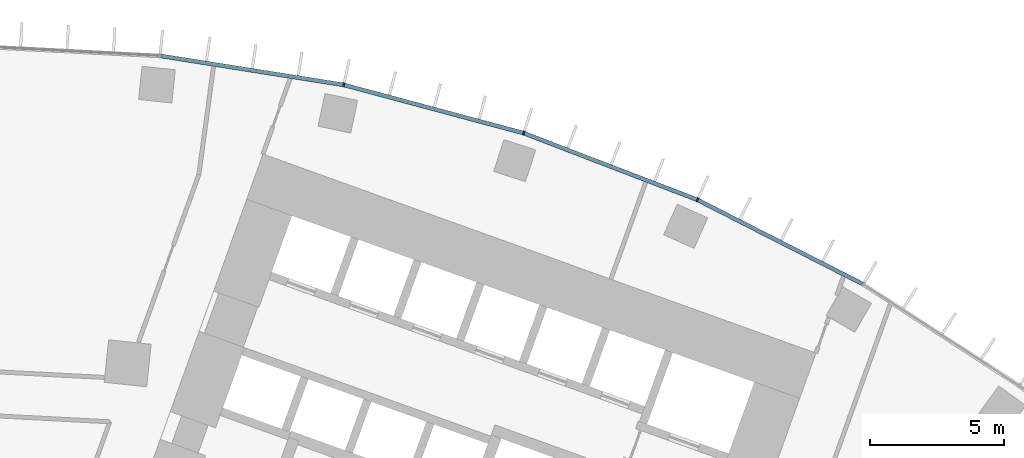
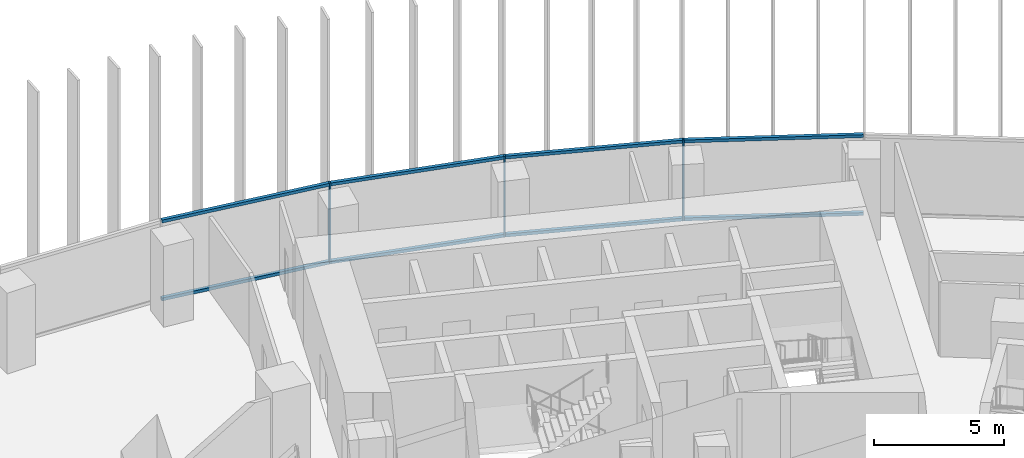
# One storey, part 12 of 24: 11 members, 1 element without a shape of its own.
"""IFC4 building model written with IfcOpenShell, lengths in metres."""

import ifcopenshell
import ifcopenshell.guid

model = None  # the IFC model being written
_history = None  # IfcOwnerHistory: only IFC2X3 demands one
_inside = {}  # id of a spatial element -> (the spatial element, [elements in it])
_under = {}  # id of a project, library or spatial element -> (it, [spatial elements below it])
_declared = {}  # id of a project -> (the project, [libraries it declares])
_typed = {}  # id of a type object -> (the type object, [elements of that type])
_made_of = {}  # id of a material, layer set ... -> (it, [elements and type objects made of it])


def new_model(schema):
    """Start an empty IFC model of exactly this schema.

    Asked for "IFC4X3", IfcOpenShell would pick the latest addendum, in which some entities
    have other attributes; the version numbers below select the first issue.
    IFC2X3 requires an IfcOwnerHistory on every rooted entity: one is made here for all.
    """
    global model, _history
    if schema == "IFC4X3":
        model = ifcopenshell.file(schema_version=(4, 3, 0, 0))
    else:
        model = ifcopenshell.file(schema=schema)
    _inside.clear()
    _under.clear()
    _declared.clear()
    _typed.clear()
    _made_of.clear()
    _history = None
    if model.schema == "IFC2X3":
        org = make("IfcOrganization", Name="unknown")
        user = make(
            "IfcPersonAndOrganization",
            ThePerson=make("IfcPerson", FamilyName="unknown"),
            TheOrganization=org,
        )
        app = make(
            "IfcApplication",
            ApplicationDeveloper=org,
            Version="unknown",
            ApplicationFullName="unknown",
            ApplicationIdentifier="unknown",
        )
        _history = make(
            "IfcOwnerHistory",
            OwningUser=user,
            OwningApplication=app,
            ChangeAction="ADDED",
            CreationDate=0,
        )
    return model


def make(cls, **values):
    """One entity of the class cls with the attributes given. An attribute that is None is left unset."""
    return model.create_entity(
        cls, **{name: value for name, value in values.items() if value is not None}
    )


def rooted(cls, **values):
    """An entity with a GlobalId (a new one), such as an element, a storey or a relation."""
    return make(cls, GlobalId=ifcopenshell.guid.new(), OwnerHistory=_history, **values)


def si_unit(unit_type, name, prefix=None):
    """IfcSIUnit, for example si_unit("LENGTHUNIT", "METRE", prefix="MILLI")."""
    return make("IfcSIUnit", UnitType=unit_type, Prefix=prefix, Name=name)


def assignment(units):
    """IfcUnitAssignment: the units of a project."""
    return None if units is None else make("IfcUnitAssignment", Units=units)


def point(xyz):
    """IfcCartesianPoint."""
    return None if xyz is None else make("IfcCartesianPoint", Coordinates=xyz)


def direction(xyz):
    """IfcDirection."""
    return None if xyz is None else make("IfcDirection", DirectionRatios=xyz)


def frame(location, z_axis=None, x_axis=None):
    """IfcAxis2Placement3D, a coordinate frame: its origin and axes. An axis left out is left unset."""
    return make(
        "IfcAxis2Placement3D",
        Location=point(location),
        Axis=direction(z_axis),
        RefDirection=direction(x_axis),
    )


def frame_2d(location, x_axis=None):
    """IfcAxis2Placement2D, a coordinate frame in the plane: its origin and x axis."""
    return make(
        "IfcAxis2Placement2D", Location=point(location), RefDirection=direction(x_axis)
    )


def origin():
    """The frame at (0, 0, 0) with its axes left unset."""
    return frame((0.0, 0.0, 0.0))


def origin_2d():
    """The frame at (0, 0) in the plane with its x axis left unset."""
    return frame_2d((0.0, 0.0))


def place(relative_to, where):
    """IfcLocalPlacement: puts the frame where relative to a parent placement (None: the world)."""
    return make(
        "IfcLocalPlacement", PlacementRelTo=relative_to, RelativePlacement=where
    )


def context(
    kind, dimensions, precision=None, world=None, true_north=None, identifier=None
):
    """IfcGeometricRepresentationContext, for example the 3D "Model" context."""
    return make(
        "IfcGeometricRepresentationContext",
        ContextIdentifier=identifier,
        ContextType=kind,
        CoordinateSpaceDimension=dimensions,
        Precision=precision,
        WorldCoordinateSystem=world,
        TrueNorth=true_north,
    )


def subcontext(parent, identifier, kind, view, scale=None):
    """IfcGeometricRepresentationSubContext, for example "Body" below "Model"."""
    return make(
        "IfcGeometricRepresentationSubContext",
        ContextIdentifier=identifier,
        ContextType=kind,
        ParentContext=parent,
        TargetScale=scale,
        TargetView=view,
    )


def project(units=None, contexts=None):
    """IfcProject with its units and contexts."""
    return rooted(
        "IfcProject",
        Name="project",
        RepresentationContexts=contexts,
        UnitsInContext=assignment(units),
    )


def spatial(cls, under=None, at=None, **own):
    """A site, building, storey or space (cls), placed at a placement, below another one or the project."""
    s = rooted(cls, ObjectPlacement=at, **own)
    if under is not None:
        _under.setdefault(under.id(), (under, []))[1].append(s)
    return s


def profile(cls, at=None, kind="AREA", **sizes):
    """A parametric profile (cls). Its sizes go by their IFC names, for example OverallWidth=200.0."""
    return make(cls, ProfileType=kind, Position=at, **sizes)


def rectangle(**sizes):
    """IfcRectangleProfileDef."""
    return profile("IfcRectangleProfileDef", **sizes)


def extrude(swept, where, along, depth):
    """IfcExtrudedAreaSolid: the profile swept, set in the frame where, extruded along a direction by depth."""
    return make(
        "IfcExtrudedAreaSolid",
        SweptArea=swept,
        Position=where,
        ExtrudedDirection=direction(along),
        Depth=depth,
    )


def shape(context_of_items, identifier, shape_type, items):
    """IfcShapeRepresentation: the items that make up one representation, for example the "Body"."""
    return make(
        "IfcShapeRepresentation",
        ContextOfItems=context_of_items,
        RepresentationIdentifier=identifier,
        RepresentationType=shape_type,
        Items=items,
    )


def material(Name=None, Category=None):
    """IfcMaterial."""
    return make("IfcMaterial", Name=Name, Category=Category)


def layer(
    of_material, thickness, ventilated=None, Name=None, Category=None, Priority=None
):
    """IfcMaterialLayer: one layer of a wall or slab, of a material (None: an air gap)."""
    return make(
        "IfcMaterialLayer",
        Material=of_material,
        LayerThickness=thickness,
        IsVentilated=ventilated,
        Name=Name,
        Category=Category,
        Priority=Priority,
    )


def layer_set(layers, Name=None):
    """IfcMaterialLayerSet."""
    return make("IfcMaterialLayerSet", MaterialLayers=layers, LayerSetName=Name)


def material_profile(
    of_material, cross_section, Name=None, Category=None, Priority=None
):
    """IfcMaterialProfile: a cross section and its material."""
    return make(
        "IfcMaterialProfile",
        Name=Name,
        Material=of_material,
        Profile=cross_section,
        Priority=Priority,
        Category=Category,
    )


def profile_set(profiles, Name=None, composite=None):
    """IfcMaterialProfileSet."""
    return make(
        "IfcMaterialProfileSet",
        Name=Name,
        MaterialProfiles=profiles,
        CompositeProfile=composite,
    )


def made_of(thing, what):
    """Note that an element or type object is made of a material, layer set ...; save() writes the relation."""
    if what is not None:
        _made_of.setdefault(what.id(), (what, []))[1].append(thing)
    return thing


def type_object(cls, material=None, **own):
    """A type object (cls), such as IfcWallType, which elements share."""
    return made_of(rooted(cls, **own), material)


def element(
    cls,
    number,
    at=None,
    inside=None,
    cuts=None,
    type_object=None,
    material=None,
    context=None,
    identifier="Body",
    shape_type=None,
    held_by="IfcProductDefinitionShape",
    body=None,
    shapes=None,
    **own,
):
    """One element of the class cls, such as IfcWall. Its Tag is "e" and its number.

    at: its placement. inside: the storey or other place that contains it. cuts: it is an
    opening in that element (IfcRelVoidsElement). A single representation is given by context,
    identifier, shape_type and body (its items); several are given by shapes. held_by: the class
    of the entity that holds the representations. save() writes the other relations.
    """
    e = rooted(cls, Tag="e%d" % number, ObjectPlacement=at, **own)
    if body is not None:
        shapes = [shape(context, identifier, shape_type, body)]
    if shapes is not None:
        e.Representation = make(held_by, Representations=shapes)
    if inside is not None:
        _inside.setdefault(inside.id(), (inside, []))[1].append(e)
    if cuts is not None:
        rooted(
            "IfcRelVoidsElement", RelatingBuildingElement=cuts, RelatedOpeningElement=e
        )
    if type_object is not None:
        _typed.setdefault(type_object.id(), (type_object, []))[1].append(e)
    return made_of(e, material)


def aggregate(whole, parts):
    """IfcRelAggregates: a whole, such as a stair, and the parts it consists of."""
    return rooted("IfcRelAggregates", RelatingObject=whole, RelatedObjects=parts)


def save(model, path):
    """Write the relations noted so far, then the file.

    IfcRelAggregates (storeys below a building ...), IfcRelContainedInSpatialStructure (elements
    in a storey), IfcRelDefinesByType, IfcRelAssociatesMaterial and IfcRelDeclares: one each for
    every whole, place, type object, material and project.
    """
    for whole, parts in _under.values():
        aggregate(whole, parts)
    for where, things in _inside.values():
        rooted(
            "IfcRelContainedInSpatialStructure",
            RelatedElements=things,
            RelatingStructure=where,
        )
    for kind, things in _typed.values():
        rooted("IfcRelDefinesByType", RelatedObjects=things, RelatingType=kind)
    for what, things in _made_of.values():
        rooted("IfcRelAssociatesMaterial", RelatedObjects=things, RelatingMaterial=what)
    for by, libraries in _declared.values():
        rooted("IfcRelDeclares", RelatingContext=by, RelatedDefinitions=libraries)
    model.write(path)


model = new_model("IFC4")

# Units and contexts
model_context = context("Model", 3, precision=1e-05, world=origin(), true_north=direction((0.0, 1.0)))
body_context = subcontext(model_context, "Body", "Model", "MODEL_VIEW")
ifc_project = project(units=[si_unit("LENGTHUNIT", "METRE"), si_unit("AREAUNIT", "SQUARE_METRE"), si_unit("VOLUMEUNIT", "CUBIC_METRE"), si_unit("PLANEANGLEUNIT", "RADIAN"), si_unit("MASSUNIT", "GRAM", prefix="KILO")], contexts=[model_context])

# Site, building, storey
site_placement = place(None, origin())
site = spatial("IfcSite", under=ifc_project, at=site_placement, CompositionType="ELEMENT")
building_placement = place(site_placement, origin())
building = spatial("IfcBuilding", under=site, at=building_placement, Name="Stone Belt Terrace Tower", CompositionType="ELEMENT")
storey_placement = place(building_placement, frame((0.0, 0.0, 41.39990234375)))
storey = spatial("IfcBuildingStorey", under=building, at=storey_placement, Name="L09", CompositionType="ELEMENT", Elevation=41.39990234375)

# Curtain wall, members
ifc_material = material(Name="Aluminium 6063-T6 anodised frame", Category="aluminium")
ifc_layer = layer(ifc_material, 0.14990234375)
ifc_layer_set = layer_set([ifc_layer], Name="CW-A unitised convex-face curtain wall")
curtain_wall_type = type_object("IfcCurtainWallType", Name="CW-A unitised convex-face curtain wall", PredefinedType="NOTDEFINED", material=ifc_layer_set)
curtain_wall_placement = place(storey_placement, origin())
curtain_wall = element("IfcCurtainWall", 1, at=curtain_wall_placement, inside=storey, type_object=curtain_wall_type, Name="CW-A convex face L09", PredefinedType="NOTDEFINED")
ifc_material_profile_1 = material_profile(ifc_material, rectangle(XDim=0.14990234375, YDim=0.06005859375, at=origin_2d()), Name="Aluminium 6063-T6 60x150")
ifc_profile_set_1 = profile_set([ifc_material_profile_1], Name="Aluminium 6063-T6 anodised frame")
member_type_1 = type_object("IfcMemberType", Name="CW-A mullion 60 x 150", PredefinedType="MULLION", material=ifc_profile_set_1)
member_1_placement = place(storey_placement, frame((27.07861328125, 60.8193359375, 0.0), z_axis=(0.0, 0.0, 1.0), x_axis=(-0.406736643076, -0.913545457643, 0.0)))
member_1 = element("IfcMember", 2, at=member_1_placement, type_object=member_type_1, Name="CW-A mullion 6", PredefinedType="MULLION", context=body_context, shape_type="SweptSolid", body=[
    extrude(rectangle(XDim=0.14990234375, YDim=0.06005859375, at=origin_2d()), origin(), (0.0, 0.0, 1.0), 3.800048828125),
])
member_2_placement = place(storey_placement, frame((20.57275390625, 63.316650390625, 0.0), z_axis=(0.0, 0.0, 1.0), x_axis=(-0.309016994375, -0.951056516295, 0.0)))
member_2 = element("IfcMember", 3, at=member_2_placement, type_object=member_type_1, Name="CW-A mullion 7", PredefinedType="MULLION", context=body_context, shape_type="SweptSolid", body=[
    extrude(rectangle(XDim=0.14990234375, YDim=0.06005859375, at=origin_2d()), origin(), (0.0, 0.0, 1.0), 3.800048828125),
])
member_3_placement = place(storey_placement, frame((13.841796875, 65.120361328125, 0.0), z_axis=(0.0, 0.0, 1.0), x_axis=(-0.207911690818, -0.978147600734, 0.0)))
member_3 = element("IfcMember", 4, at=member_3_placement, type_object=member_type_1, Name="CW-A mullion 8", PredefinedType="MULLION", context=body_context, shape_type="SweptSolid", body=[
    extrude(rectangle(XDim=0.14990234375, YDim=0.06005859375, at=origin_2d()), origin(), (0.0, 0.0, 1.0), 3.800048828125),
])
ifc_material_profile_2 = material_profile(ifc_material, rectangle(XDim=0.14990234375, YDim=0.139892578125, at=origin_2d()), Name="Aluminium 6063-T6 150x140")
ifc_profile_set_2 = profile_set([ifc_material_profile_2], Name="Aluminium 6063-T6 anodised frame")
member_type_2 = type_object("IfcMemberType", Name="CW-A transom 140 x 150", PredefinedType="USERDEFINED", material=ifc_profile_set_2)
member_4_placement = place(storey_placement, frame((33.25732421875, 57.671142578125, 0.070068359375), z_axis=(-0.891012226264, 0.453979308613, 0.0), x_axis=(-0.453979308613, -0.891012226264, 0.0)))
member_4 = element("IfcMember", 5, at=member_4_placement, type_object=member_type_2, Name="CW-A transom 5.1", ObjectType="TRANSOM", PredefinedType="USERDEFINED", context=body_context, shape_type="SweptSolid", body=[
    extrude(rectangle(XDim=0.14990234375, YDim=0.139892578125, at=origin_2d()), origin(), (0.0, 0.0, 1.0), 6.90087890625),
])
member_5_placement = place(storey_placement, frame((33.25732421875, 57.671142578125, 3.72998046875), z_axis=(-0.891012226264, 0.453979308613, 0.0), x_axis=(-0.453979308613, -0.891012226264, 0.0)))
member_5 = element("IfcMember", 6, at=member_5_placement, type_object=member_type_2, Name="CW-A transom 5.2", ObjectType="TRANSOM", PredefinedType="USERDEFINED", context=body_context, shape_type="SweptSolid", body=[
    extrude(rectangle(XDim=0.14990234375, YDim=0.139892578125, at=origin_2d()), origin(), (0.0, 0.0, 1.0), 6.90087890625),
])
member_6_placement = place(storey_placement, frame((27.046875, 60.83154296875, 0.070068359375), z_axis=(-0.933585210269, 0.358355487146, 0.0), x_axis=(-0.358355487146, -0.933585210269, 0.0)))
member_6 = element("IfcMember", 7, at=member_6_placement, type_object=member_type_2, Name="CW-A transom 6.1", ObjectType="TRANSOM", PredefinedType="USERDEFINED", context=body_context, shape_type="SweptSolid", body=[
    extrude(rectangle(XDim=0.14990234375, YDim=0.139892578125, at=origin_2d()), origin(), (0.0, 0.0, 1.0), 6.900634765625),
])
member_7_placement = place(storey_placement, frame((27.046875, 60.83154296875, 3.72998046875), z_axis=(-0.933585210269, 0.358355487146, 0.0), x_axis=(-0.358355487146, -0.933585210269, 0.0)))
member_7 = element("IfcMember", 8, at=member_7_placement, type_object=member_type_2, Name="CW-A transom 6.2", ObjectType="TRANSOM", PredefinedType="USERDEFINED", context=body_context, shape_type="SweptSolid", body=[
    extrude(rectangle(XDim=0.14990234375, YDim=0.139892578125, at=origin_2d()), origin(), (0.0, 0.0, 1.0), 6.900634765625),
])
member_8_placement = place(storey_placement, frame((20.5400390625, 63.325439453125, 0.070068359375), z_axis=(-0.965921835863, 0.258833937117, 0.0), x_axis=(-0.258833937117, -0.965921835863, 0.0)))
member_8 = element("IfcMember", 9, at=member_8_placement, type_object=member_type_2, Name="CW-A transom 7.1", ObjectType="TRANSOM", PredefinedType="USERDEFINED", context=body_context, shape_type="SweptSolid", body=[
    extrude(rectangle(XDim=0.14990234375, YDim=0.139892578125, at=origin_2d()), origin(), (0.0, 0.0, 1.0), 6.900634765625),
])
member_9_placement = place(storey_placement, frame((20.5400390625, 63.325439453125, 3.72998046875), z_axis=(-0.965921835863, 0.258833937117, 0.0), x_axis=(-0.258833937117, -0.965921835863, 0.0)))
member_9 = element("IfcMember", 10, at=member_9_placement, type_object=member_type_2, Name="CW-A transom 7.2", ObjectType="TRANSOM", PredefinedType="USERDEFINED", context=body_context, shape_type="SweptSolid", body=[
    extrude(rectangle(XDim=0.14990234375, YDim=0.139892578125, at=origin_2d()), origin(), (0.0, 0.0, 1.0), 6.900634765625),
])
member_10_placement = place(storey_placement, frame((13.808349609375, 65.12548828125, 0.070068359375), z_axis=(-0.987687120531, 0.156442168027, 0.0), x_axis=(-0.156442168027, -0.987687120531, 0.0)))
member_10 = element("IfcMember", 11, at=member_10_placement, type_object=member_type_2, Name="CW-A transom 8.1", ObjectType="TRANSOM", PredefinedType="USERDEFINED", context=body_context, shape_type="SweptSolid", body=[
    extrude(rectangle(XDim=0.14990234375, YDim=0.139892578125, at=origin_2d()), origin(), (0.0, 0.0, 1.0), 6.90087890625),
])
member_11_placement = place(storey_placement, frame((13.808349609375, 65.12548828125, 3.72998046875), z_axis=(-0.987687120531, 0.156442168027, 0.0), x_axis=(-0.156442168027, -0.987687120531, 0.0)))
member_11 = element("IfcMember", 12, at=member_11_placement, type_object=member_type_2, Name="CW-A transom 8.2", ObjectType="TRANSOM", PredefinedType="USERDEFINED", context=body_context, shape_type="SweptSolid", body=[
    extrude(rectangle(XDim=0.14990234375, YDim=0.139892578125, at=origin_2d()), origin(), (0.0, 0.0, 1.0), 6.90087890625),
])
aggregate(curtain_wall, [member_1, member_2, member_3, member_4, member_5, member_6, member_7, member_8, member_9, member_10, member_11])

save(model, "model.ifc")
